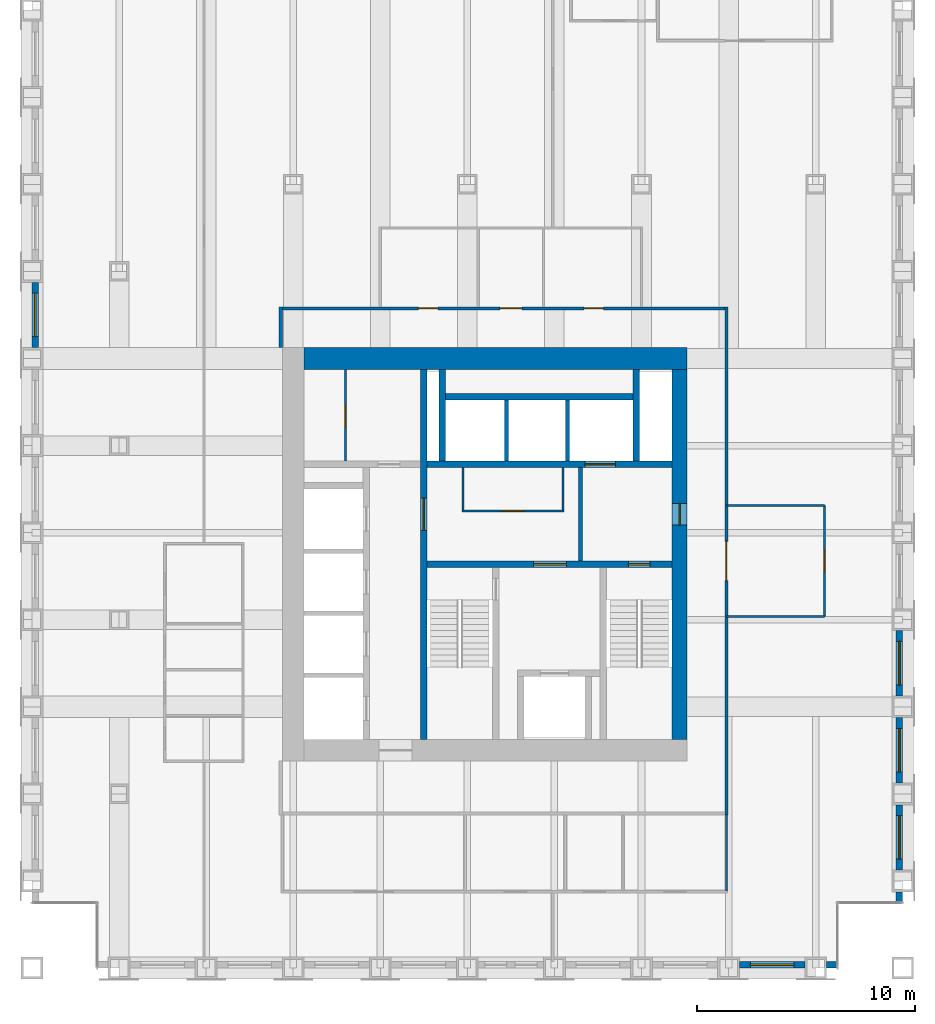
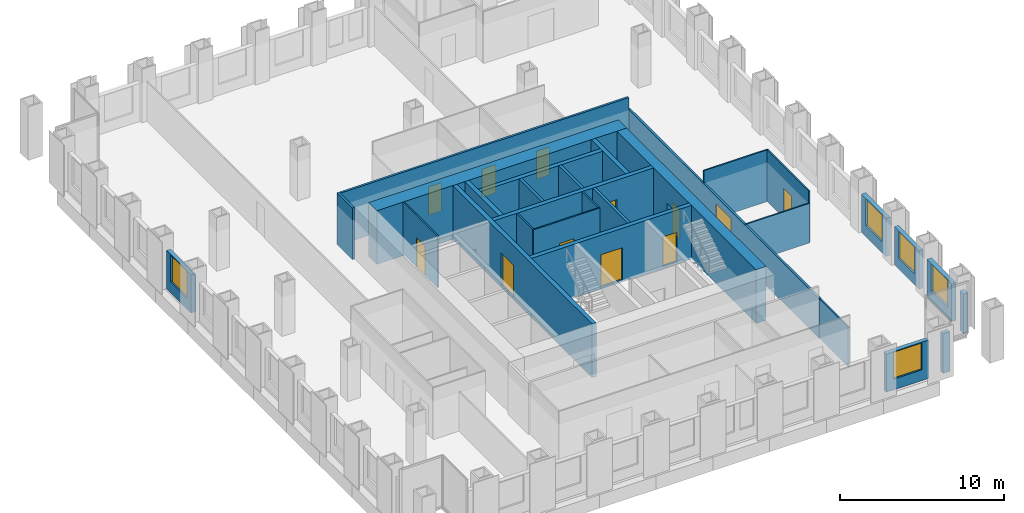
# One storey, part 10 of 13: 29 walls, 12 doors, 5 windows, 17 openings.
"""IFC4 building model written with IfcOpenShell, lengths in metres."""

from ifc_helpers import new_model, si_unit, direction, frame, frame_2d, origin, place, context, subcontext, project, spatial, rectangle, extrude, material, layer, layer_set, type_object, element, fill, save


model = new_model("IFC4")

# Units and contexts
model_context = context("Model", 3, precision=1e-05, world=origin(), true_north=direction((0.0, 1.0)))
body_context = subcontext(model_context, "Body", "Model", "MODEL_VIEW")
ifc_project = project(units=[si_unit("LENGTHUNIT", "METRE"), si_unit("AREAUNIT", "SQUARE_METRE"), si_unit("VOLUMEUNIT", "CUBIC_METRE"), si_unit("PLANEANGLEUNIT", "RADIAN"), si_unit("MASSUNIT", "GRAM", prefix="KILO")], contexts=[model_context])

# Site, building, storey
site_placement = place(None, origin())
site = spatial("IfcSite", under=ifc_project, at=site_placement, CompositionType="ELEMENT")
building_placement = place(site_placement, origin())
building = spatial("IfcBuilding", under=site, at=building_placement, Name="Rimbunsela Tower", CompositionType="ELEMENT")
storey_placement = place(building_placement, frame((0.0, 0.0, 187.800048828125)))
storey = spatial("IfcBuildingStorey", under=building, at=storey_placement, Name="L45", CompositionType="ELEMENT", Elevation=187.800048828125)

# Wall, opening, door
ifc_material_1 = material(Name="Concrete fc' 80 MPa", Category="concrete")
ifc_layer_1 = layer(ifc_material_1, 0.300048828125)
ifc_layer_set_1 = layer_set([ifc_layer_1], Name="Core internal wall 300")
wall_type_1 = type_object("IfcWallType", Name="Core internal wall 300", PredefinedType="SHEAR", material=ifc_layer_set_1)
wall_1_placement = place(storey_placement, frame((24.0, 18.5, -0.150146484375), z_axis=(0.0, 0.0, 1.0), x_axis=(0.0, 1.0, 0.0)))
wall_1 = element("IfcWall", 1, at=wall_1_placement, inside=storey, type_object=wall_type_1, Name="Core wall at stair A", PredefinedType="SHEAR", context=body_context, shape_type="SweptSolid", body=[
    extrude(rectangle(XDim=17.0, YDim=0.300048828125, at=frame_2d((8.5, 0.0))), origin(), (0.0, 0.0, 1.0), 4.0),
])
opening_1_placement = place(wall_1_placement, frame((9.60009765625, 0.0, 0.14990234375)))
opening_1 = element("IfcOpeningElement", 2, at=opening_1_placement, cuts=wall_1, Name="Opening D03", PredefinedType="OPENING", context=body_context, shape_type="SweptSolid", body=[
    extrude(rectangle(XDim=1.5, YDim=2.39990234375, at=frame_2d((0.75, 1.199951171875))), frame((0.0, 0.159912109375, 0.0), z_axis=(0.0, -1.0, 0.0), x_axis=(1.0, 0.0, 0.0)), (0.0, 0.0, 1.0), 0.320068359375),
])
ifc_material_2 = material(Name="Steel door, fire rated", Category="steel")
door_type_1 = type_object("IfcDoorType", Name="Core lobby door 1500", OperationType="DOUBLE_DOOR_DOUBLE_SWING", PredefinedType="DOOR", material=ifc_material_2)
door_1_placement = place(opening_1_placement, origin())
door_1 = element("IfcDoor", 3, at=door_1_placement, inside=storey, type_object=door_type_1, Name="West lobby door", OperationType="DOUBLE_DOOR_DOUBLE_SWING", OverallHeight=2.39990234375, OverallWidth=1.5, PredefinedType="DOOR", context=body_context, shape_type="SweptSolid", body=[
    extrude(rectangle(XDim=1.5, YDim=2.39990234375, at=frame_2d((0.75, 1.199951171875))), frame((0.0, 0.02490234375, 0.0), z_axis=(0.0, -1.0, 0.0), x_axis=(1.0, 0.0, 0.0)), (0.0, 0.0, 1.0), 0.050048828125),
])
fill(opening_1, door_1)

# Wall, openings, doors
wall_2_placement = place(storey_placement, frame((24.14990234375, 26.550048828125, -0.150146484375), z_axis=(0.0, 0.0, 1.0), x_axis=(1.0, 0.0, 0.0)))
wall_2 = element("IfcWall", 4, at=wall_2_placement, inside=storey, type_object=wall_type_1, Name="Core wall lobby south", PredefinedType="SHEAR", context=body_context, shape_type="SweptSolid", body=[
    extrude(rectangle(XDim=11.25, YDim=0.300048828125, at=frame_2d((5.625, 0.0))), origin(), (0.0, 0.0, 1.0), 4.0),
])
opening_2_placement = place(wall_2_placement, frame((9.25, 0.0, 0.14990234375)))
opening_2 = element("IfcOpeningElement", 5, at=opening_2_placement, cuts=wall_2, Name="Opening D01", PredefinedType="OPENING", context=body_context, shape_type="SweptSolid", body=[
    extrude(rectangle(XDim=1.0, YDim=2.199951171875, at=frame_2d((0.5, 1.10009765625))), frame((0.0, 0.159912109375, 0.0), z_axis=(0.0, -1.0, 0.0), x_axis=(1.0, 0.0, 0.0)), (0.0, 0.0, 1.0), 0.320068359375),
])
opening_3_placement = place(wall_2_placement, frame((4.89990234375, 0.0, 0.14990234375)))
opening_3 = element("IfcOpeningElement", 6, at=opening_3_placement, cuts=wall_2, Name="Opening D03", PredefinedType="OPENING", context=body_context, shape_type="SweptSolid", body=[
    extrude(rectangle(XDim=1.5, YDim=2.39990234375, at=frame_2d((0.75, 1.199951171875))), frame((0.0, 0.159912109375, 0.0), z_axis=(0.0, -1.0, 0.0), x_axis=(1.0, 0.0, 0.0)), (0.0, 0.0, 1.0), 0.320068359375),
])
door_2_placement = place(opening_3_placement, origin())
door_2 = element("IfcDoor", 7, at=door_2_placement, inside=storey, type_object=door_type_1, Name="Firefighting lobby door", OperationType="DOUBLE_DOOR_DOUBLE_SWING", OverallHeight=2.39990234375, OverallWidth=1.5, PredefinedType="DOOR", context=body_context, shape_type="SweptSolid", body=[
    extrude(rectangle(XDim=1.5, YDim=2.39990234375, at=frame_2d((0.75, 1.199951171875))), frame((0.0, 0.02490234375, 0.0), z_axis=(0.0, -1.0, 0.0), x_axis=(1.0, 0.0, 0.0)), (0.0, 0.0, 1.0), 0.050048828125),
])
fill(opening_3, door_2)
ifc_material_3 = material(Name="Steel door, fire rated", Category="steel")
door_type_2 = type_object("IfcDoorType", Name="Stair door 1000", OperationType="SINGLE_SWING_RIGHT", PredefinedType="DOOR", material=ifc_material_3)
door_3_placement = place(opening_2_placement, frame((1.0, 0.0, 0.0), z_axis=(0.0, 0.0, 1.0), x_axis=(-1.0, 0.0, 0.0)))
door_3 = element("IfcDoor", 8, at=door_3_placement, inside=storey, type_object=door_type_2, Name="Stair B door", OperationType="SINGLE_SWING_RIGHT", OverallHeight=2.199951171875, OverallWidth=1.0, PredefinedType="DOOR", context=body_context, shape_type="SweptSolid", body=[
    extrude(rectangle(XDim=1.0, YDim=2.199951171875, at=frame_2d((0.5, 1.10009765625))), frame((0.0, 0.02490234375, 0.0), z_axis=(0.0, -1.0, 0.0), x_axis=(1.0, 0.0, 0.0)), (0.0, 0.0, 1.0), 0.050048828125),
])
fill(opening_2, door_3)

# Wall, opening, door
wall_3_placement = place(storey_placement, frame((24.14990234375, 31.14990234375, -0.150146484375), z_axis=(0.0, 0.0, 1.0), x_axis=(1.0, 0.0, 0.0)))
wall_3 = element("IfcWall", 9, at=wall_3_placement, inside=storey, type_object=wall_type_1, Name="Lift shaft front north", PredefinedType="SHEAR", context=body_context, shape_type="SweptSolid", body=[
    extrude(rectangle(XDim=11.25, YDim=0.300048828125, at=frame_2d((5.625, 0.0))), origin(), (0.0, 0.0, 1.0), 4.0),
])
opening_4_placement = place(wall_3_placement, frame((7.25, 0.0, 0.14990234375)))
opening_4 = element("IfcOpeningElement", 10, at=opening_4_placement, cuts=wall_3, Name="Opening LD3", PredefinedType="OPENING", context=body_context, shape_type="SweptSolid", body=[
    extrude(rectangle(XDim=1.39990234375, YDim=2.39990234375, at=frame_2d((0.699951171875, 1.199951171875))), frame((0.0, 0.159912109375, 0.0), z_axis=(0.0, -1.0, 0.0), x_axis=(1.0, 0.0, 0.0)), (0.0, 0.0, 1.0), 0.320068359375),
])
ifc_material_4 = material(Name="Steel door, fire rated", Category="steel")
door_type_3 = type_object("IfcDoorType", Name="Lift landing door 1400", OperationType="DOUBLE_DOOR_SLIDING", PredefinedType="DOOR", material=ifc_material_4)
door_4_placement = place(opening_4_placement, origin())
door_4 = element("IfcDoor", 11, at=door_4_placement, inside=storey, type_object=door_type_3, Name="Lift landing door FL2", OperationType="DOUBLE_DOOR_SLIDING", OverallHeight=2.39990234375, OverallWidth=1.39990234375, PredefinedType="DOOR", context=body_context, shape_type="SweptSolid", body=[
    extrude(rectangle(XDim=1.39990234375, YDim=2.39990234375, at=frame_2d((0.699951171875, 1.199951171875))), frame((0.0, 0.02490234375, 0.0), z_axis=(0.0, -1.0, 0.0), x_axis=(1.0, 0.0, 0.0)), (0.0, 0.0, 1.0), 0.050048828125),
])
fill(opening_4, door_4)

# Walls
for number, where, z_axis, x_axis, name in (
    (12, (24.85009765625, 31.300048828125, -0.150146484375), (0.0, 0.0, 1.0), (0.0, 1.0, 0.0), "Riser wall"),
    (13, (33.75, 31.300048828125, -0.150146484375), (0.0, 0.0, 1.0), (0.0, 1.0, 0.0), "Riser wall"),
):
    element("IfcWall", number, at=place(storey_placement, frame(where, z_axis=z_axis, x_axis=x_axis)), inside=storey, type_object=wall_type_1, Name=name, PredefinedType="SHEAR", context=body_context, shape_type="SweptSolid", body=[
        extrude(rectangle(XDim=4.199951171875, YDim=0.300048828125, at=frame_2d((2.10009765625, 0.0))), origin(), (0.0, 0.0, 1.0), 4.0),
    ])
wall_4_placement = place(storey_placement, frame((25.0, 34.25, -0.150146484375), z_axis=(0.0, 0.0, 1.0), x_axis=(1.0, 0.0, 0.0)))
element("IfcWall", 14, at=wall_4_placement, inside=storey, type_object=wall_type_1, Name="Lift shaft rear north", PredefinedType="SHEAR", context=body_context, shape_type="SweptSolid", body=[
    extrude(rectangle(XDim=8.60009765625, YDim=0.300048828125, at=frame_2d((4.300048828125, 0.0))), origin(), (0.0, 0.0, 1.0), 4.0),
])

# Wall, opening, door
ifc_material_5 = material(Name="Concrete blockwork", Category="masonry")
ifc_layer_2 = layer(ifc_material_5, 0.10009765625)
ifc_layer_set_2 = layer_set([ifc_layer_2], Name="Core room partition 100")
wall_type_2 = type_object("IfcWallType", Name="Core room partition 100", PredefinedType="PARTITIONING", material=ifc_layer_set_2)
wall_5_placement = place(storey_placement, frame((20.39990234375, 31.300048828125, 0.0), z_axis=(0.0, 0.0, 1.0), x_axis=(0.0, 1.0, 0.0)))
wall_5 = element("IfcWall", 15, at=wall_5_placement, inside=storey, type_object=wall_type_2, Name="Housekeeping store wall", PredefinedType="PARTITIONING", context=body_context, shape_type="SweptSolid", body=[
    extrude(rectangle(XDim=4.199951171875, YDim=0.10009765625, at=frame_2d((2.10009765625, 0.0))), origin(), (0.0, 0.0, 1.0), 3.849853515625),
])
opening_5_placement = place(wall_5_placement, frame((1.550048828125, 0.0, 0.0)))
opening_5 = element("IfcOpeningElement", 16, at=opening_5_placement, cuts=wall_5, Name="Opening D19", PredefinedType="OPENING", context=body_context, shape_type="SweptSolid", body=[
    extrude(rectangle(XDim=1.0, YDim=2.199951171875, at=frame_2d((0.5, 1.10009765625))), frame((0.0, 0.06005859375, 0.0), z_axis=(0.0, -1.0, 0.0), x_axis=(1.0, 0.0, 0.0)), (0.0, 0.0, 1.0), 0.1201171875),
])
ifc_material_6 = material(Name="Steel door, fire rated", Category="steel")
door_type_4 = type_object("IfcDoorType", Name="Service door 1000 fire rated", OperationType="SINGLE_SWING_LEFT", PredefinedType="DOOR", material=ifc_material_6)
door_5_placement = place(opening_5_placement, origin())
door_5 = element("IfcDoor", 17, at=door_5_placement, inside=storey, type_object=door_type_4, Name="Housekeeping store door", OperationType="SINGLE_SWING_LEFT", OverallHeight=2.199951171875, OverallWidth=1.0, PredefinedType="DOOR", context=body_context, shape_type="SweptSolid", body=[
    extrude(rectangle(XDim=1.0, YDim=2.199951171875, at=frame_2d((0.5, 1.10009765625))), frame((0.0, 0.02490234375, 0.0), z_axis=(0.0, -1.0, 0.0), x_axis=(1.0, 0.0, 0.0)), (0.0, 0.0, 1.0), 0.050048828125),
])
fill(opening_5, door_5)

wall_6_placement = place(storey_placement, frame((25.75, 29.0, 0.0), z_axis=(0.0, 0.0, 1.0), x_axis=(1.0, 0.0, 0.0)))
wall_6 = element("IfcWall", 18, at=wall_6_placement, inside=storey, type_object=wall_type_2, Name="Lobby room wall", PredefinedType="PARTITIONING", context=body_context, shape_type="SweptSolid", body=[
    extrude(rectangle(XDim=4.699951171875, YDim=0.10009765625, at=frame_2d((2.35009765625, 0.0))), origin(), (0.0, 0.0, 1.0), 3.849853515625),
])
opening_6_placement = place(wall_6_placement, frame((1.85009765625, 0.0, 0.0)))
opening_6 = element("IfcOpeningElement", 19, at=opening_6_placement, cuts=wall_6, Name="Opening D19", PredefinedType="OPENING", context=body_context, shape_type="SweptSolid", body=[
    extrude(rectangle(XDim=1.0, YDim=2.199951171875, at=frame_2d((0.5, 1.10009765625))), frame((0.0, 0.06005859375, 0.0), z_axis=(0.0, -1.0, 0.0), x_axis=(1.0, 0.0, 0.0)), (0.0, 0.0, 1.0), 0.1201171875),
])
door_6_placement = place(opening_6_placement, origin())
door_6 = element("IfcDoor", 20, at=door_6_placement, inside=storey, type_object=door_type_4, Name="Tenant store door", OperationType="SINGLE_SWING_LEFT", OverallHeight=2.199951171875, OverallWidth=1.0, PredefinedType="DOOR", context=body_context, shape_type="SweptSolid", body=[
    extrude(rectangle(XDim=1.0, YDim=2.199951171875, at=frame_2d((0.5, 1.10009765625))), frame((0.0, 0.02490234375, 0.0), z_axis=(0.0, -1.0, 0.0), x_axis=(1.0, 0.0, 0.0)), (0.0, 0.0, 1.0), 0.050048828125),
])
fill(opening_6, door_6)

# Walls
for number, where, z_axis, x_axis, name in (
    (21, (25.800048828125, 29.050048828125, 0.0), (0.0, 0.0, 1.0), (0.0, 1.0, 0.0), "Lobby room wall"),
    (22, (30.39990234375, 29.050048828125, 0.0), (0.0, 0.0, 1.0), (0.0, 1.0, 0.0), "Lobby room wall"),
):
    element("IfcWall", number, at=place(storey_placement, frame(where, z_axis=z_axis, x_axis=x_axis)), inside=storey, type_object=wall_type_2, Name=name, PredefinedType="PARTITIONING", context=body_context, shape_type="SweptSolid", body=[
        extrude(rectangle(XDim=1.949951171875, YDim=0.10009765625, at=frame_2d((0.97509765625, 0.0))), origin(), (0.0, 0.0, 1.0), 3.849853515625),
    ])
ifc_material_7 = material(Name="Concrete fc' 80 MPa", Category="concrete")
ifc_layer_3 = layer(ifc_material_7, 1.0)
ifc_layer_set_3 = layer_set([ifc_layer_3], Name="Core wall 1000")
wall_type_3 = type_object("IfcWallType", Name="Core wall 1000", PredefinedType="SHEAR", material=ifc_layer_set_3)
wall_7_placement = place(storey_placement, frame((18.5, 36.0, -0.150146484375), z_axis=(0.0, 0.0, 1.0), x_axis=(1.0, 0.0, 0.0)))
element("IfcWall", 23, at=wall_7_placement, inside=storey, type_object=wall_type_3, Name="Core wall north", PredefinedType="SHEAR", context=body_context, shape_type="SweptSolid", body=[
    extrude(rectangle(XDim=17.60009765625, YDim=1.0, at=frame_2d((8.800048828125, 0.0))), origin(), (0.0, 0.0, 1.0), 4.0),
])

# Wall, opening, door
ifc_material_8 = material(Name="Concrete fc' 80 MPa", Category="concrete")
ifc_layer_4 = layer(ifc_material_8, 0.699951171875)
ifc_layer_set_4 = layer_set([ifc_layer_4], Name="Core wall 700 east")
wall_type_4 = type_object("IfcWallType", Name="Core wall 700 east", PredefinedType="SHEAR", material=ifc_layer_set_4)
wall_8_placement = place(storey_placement, frame((35.75, 18.5, -0.150146484375), z_axis=(0.0, 0.0, 1.0), x_axis=(0.0, 1.0, 0.0)))
wall_8 = element("IfcWall", 24, at=wall_8_placement, inside=storey, type_object=wall_type_4, Name="Core wall east", PredefinedType="SHEAR", context=body_context, shape_type="SweptSolid", body=[
    extrude(rectangle(XDim=17.0, YDim=0.699951171875, at=frame_2d((8.5, 0.0))), origin(), (0.0, 0.0, 1.0), 4.0),
])
opening_7_placement = place(wall_8_placement, frame((9.85009765625, 0.0, 0.14990234375)))
opening_7 = element("IfcOpeningElement", 25, at=opening_7_placement, cuts=wall_8, Name="Opening D01", PredefinedType="OPENING", context=body_context, shape_type="SweptSolid", body=[
    extrude(rectangle(XDim=1.0, YDim=2.199951171875, at=frame_2d((0.5, 1.10009765625))), frame((0.0, 0.35986328125, 0.0), z_axis=(0.0, -1.0, 0.0), x_axis=(1.0, 0.0, 0.0)), (0.0, 0.0, 1.0), 0.719970703125),
])
door_7_placement = place(opening_7_placement, origin())
door_7 = element("IfcDoor", 26, at=door_7_placement, inside=storey, type_object=door_type_2, Name="Firefighting lobby 2 door", OperationType="SINGLE_SWING_RIGHT", OverallHeight=2.199951171875, OverallWidth=1.0, PredefinedType="DOOR", context=body_context, shape_type="SweptSolid", body=[
    extrude(rectangle(XDim=1.0, YDim=2.199951171875, at=frame_2d((0.5, 1.10009765625))), frame((0.0, 0.02490234375, 0.0), z_axis=(0.0, -1.0, 0.0), x_axis=(1.0, 0.0, 0.0)), (0.0, 0.0, 1.0), 0.050048828125),
])
fill(opening_7, door_7)

# Walls
ifc_material_9 = material(Name="Concrete blockwork", Category="masonry")
ifc_layer_5 = layer(ifc_material_9, 0.199951171875)
ifc_layer_set_5 = layer_set([ifc_layer_5], Name="Lift shaft wall 200")
wall_type_5 = type_object("IfcWallType", Name="Lift shaft wall 200", PredefinedType="SOLIDWALL", material=ifc_layer_set_5)
for number, where, z_axis, x_axis, name in (
    (27, (27.800048828125, 31.300048828125, -0.150146484375), (0.0, 0.0, 1.0), (0.0, 1.0, 0.0), "Lift shaft separation"),
    (28, (30.60009765625, 31.300048828125, -0.150146484375), (0.0, 0.0, 1.0), (0.0, 1.0, 0.0), "Lift shaft separation"),
):
    element("IfcWall", number, at=place(storey_placement, frame(where, z_axis=z_axis, x_axis=x_axis)), inside=storey, type_object=wall_type_5, Name=name, PredefinedType="SOLIDWALL", context=body_context, shape_type="SweptSolid", body=[
        extrude(rectangle(XDim=2.800048828125, YDim=0.199951171875, at=frame_2d((1.39990234375, 0.0))), origin(), (0.0, 0.0, 1.0), 4.0),
    ])
wall_9_placement = place(storey_placement, frame((31.199951171875, 26.699951171875, 0.0), z_axis=(0.0, 0.0, 1.0), x_axis=(0.0, 1.0, 0.0)))
element("IfcWall", 29, at=wall_9_placement, inside=storey, type_object=wall_type_5, Name="Firefighting lobby 2 wall", PredefinedType="SOLIDWALL", context=body_context, shape_type="SweptSolid", body=[
    extrude(rectangle(XDim=4.300048828125, YDim=0.199951171875, at=frame_2d((2.14990234375, 0.0))), origin(), (0.0, 0.0, 1.0), 3.849853515625),
])
ifc_material_10 = material(Name="Gypsum board on steel studs", Category="steel")
ifc_layer_6 = layer(ifc_material_10, 0.10009765625)
ifc_layer_set_6 = layer_set([ifc_layer_6], Name="Office partition 100")
wall_type_6 = type_object("IfcWallType", Name="Office partition 100", PredefinedType="PARTITIONING", material=ifc_layer_set_6)
wall_10_placement = place(storey_placement, frame((37.89990234375, 11.550048828125, 0.0), z_axis=(0.0, 0.0, 1.0), x_axis=(0.0, 1.0, 0.0)))
element("IfcWall", 30, at=wall_10_placement, inside=storey, type_object=wall_type_6, Name="Office partition", PredefinedType="PARTITIONING", context=body_context, shape_type="SweptSolid", body=[
    extrude(rectangle(XDim=3.474853515625, YDim=0.10009765625, at=frame_2d((1.7373046875, 0.0))), origin(), (0.0, 0.0, 1.0), 2.949951171875),
])
wall_11_placement = place(storey_placement, frame((37.89990234375, 24.14990234375, 0.0), z_axis=(0.0, 0.0, 1.0), x_axis=(1.0, 0.0, 0.0)))
element("IfcWall", 31, at=wall_11_placement, inside=storey, type_object=wall_type_6, Name="Office partition", PredefinedType="PARTITIONING", context=body_context, shape_type="SweptSolid", body=[
    extrude(rectangle(XDim=4.5, YDim=0.10009765625, at=frame_2d((2.25, 0.0))), origin(), (0.0, 0.0, 1.0), 2.949951171875),
])

# Wall, opening, door
wall_12_placement = place(storey_placement, frame((42.39990234375, 24.14990234375, 0.0), z_axis=(0.0, 0.0, 1.0), x_axis=(0.0, 1.0, 0.0)))
wall_12 = element("IfcWall", 32, at=wall_12_placement, inside=storey, type_object=wall_type_6, Name="Office partition", PredefinedType="PARTITIONING", context=body_context, shape_type="SweptSolid", body=[
    extrude(rectangle(XDim=5.10009765625, YDim=0.10009765625, at=frame_2d((2.550048828125, 0.0))), origin(), (0.0, 0.0, 1.0), 3.849853515625),
])
opening_8_placement = place(wall_12_placement, frame((2.050048828125, 0.0, 0.0)))
opening_8 = element("IfcOpeningElement", 33, at=opening_8_placement, cuts=wall_12, Name="Opening D17", PredefinedType="OPENING", context=body_context, shape_type="SweptSolid", body=[
    extrude(rectangle(XDim=1.0, YDim=2.199951171875, at=frame_2d((0.5, 1.10009765625))), frame((0.0, 0.06005859375, 0.0), z_axis=(0.0, -1.0, 0.0), x_axis=(1.0, 0.0, 0.0)), (0.0, 0.0, 1.0), 0.1201171875),
])
ifc_material_11 = material(Name="Glazed aluminium door", Category="aluminium")
door_type_5 = type_object("IfcDoorType", Name="Meeting room door 1000 glazed", OperationType="SINGLE_SWING_RIGHT", PredefinedType="DOOR", material=ifc_material_11)
door_8_placement = place(opening_8_placement, origin())
door_8 = element("IfcDoor", 34, at=door_8_placement, inside=storey, type_object=door_type_5, Name="Reception door", OperationType="SINGLE_SWING_RIGHT", OverallHeight=2.199951171875, OverallWidth=1.0, PredefinedType="DOOR", context=body_context, shape_type="SweptSolid", body=[
    extrude(rectangle(XDim=1.0, YDim=2.199951171875, at=frame_2d((0.5, 1.10009765625))), frame((0.0, 0.02490234375, 0.0), z_axis=(0.0, -1.0, 0.0), x_axis=(1.0, 0.0, 0.0)), (0.0, 0.0, 1.0), 0.050048828125),
])
fill(opening_8, door_8)

# Wall
wall_13_placement = place(storey_placement, frame((42.39990234375, 29.25, 0.0), z_axis=(0.0, 0.0, 1.0), x_axis=(-1.0, 0.0, 0.0)))
element("IfcWall", 35, at=wall_13_placement, inside=storey, type_object=wall_type_6, Name="Office partition", PredefinedType="PARTITIONING", context=body_context, shape_type="SweptSolid", body=[
    extrude(rectangle(XDim=4.5, YDim=0.10009765625, at=frame_2d((2.25, 0.0))), origin(), (0.0, 0.0, 1.0), 3.849853515625),
])

# Wall, opening, window
ifc_material_12 = material(Name="Precast concrete fc' 35 MPa", Category="concrete")
ifc_layer_7 = layer(ifc_material_12, 0.300048828125)
ifc_layer_set_7 = layer_set([ifc_layer_7], Name="Precast concrete fc' 35 MPa")
wall_type_7 = type_object("IfcWallType", Name="Precast facade panel 300", PredefinedType="ELEMENTEDWALL", material=ifc_layer_set_7)
wall_14_placement = place(storey_placement, frame((38.5, 8.14990234375, 0.0), z_axis=(0.0, 0.0, 1.0), x_axis=(1.0, 0.0, 0.0)))
wall_14 = element("IfcWall", 36, at=wall_14_placement, inside=storey, type_object=wall_type_7, Name="Facade panel S L45", PredefinedType="ELEMENTEDWALL", context=body_context, shape_type="SweptSolid", body=[
    extrude(rectangle(XDim=3.0, YDim=0.300048828125, at=frame_2d((1.5, 0.0))), origin(), (0.0, 0.0, 1.0), 2.849853515625),
])
opening_9_placement = place(wall_14_placement, frame((0.5, 0.0, 0.800048828125)))
opening_9 = element("IfcOpeningElement", 37, at=opening_9_placement, cuts=wall_14, Name="Opening W1", PredefinedType="OPENING", context=body_context, shape_type="SweptSolid", body=[
    extrude(rectangle(XDim=2.0, YDim=2.0, at=frame_2d((1.0, 1.0))), frame((0.0, 0.159912109375, 0.0), z_axis=(0.0, -1.0, 0.0), x_axis=(1.0, 0.0, 0.0)), (0.0, 0.0, 1.0), 0.320068359375),
])
ifc_material_13 = material(Name="Clear glass in aluminium frame", Category="aluminium")
window_type = type_object("IfcWindowType", Name="Window W1 2000x2000", PartitioningType="DOUBLE_PANEL_VERTICAL", PredefinedType="WINDOW", material=ifc_material_13)
window_1_placement = place(opening_9_placement, origin())
window_1 = element("IfcWindow", 38, at=window_1_placement, inside=storey, type_object=window_type, Name="Window L45", OverallHeight=2.0, OverallWidth=2.0, PartitioningType="SINGLE_PANEL", PredefinedType="WINDOW", context=body_context, shape_type="SweptSolid", body=[
    extrude(rectangle(XDim=2.0, YDim=2.0, at=frame_2d((1.0, 1.0))), frame((0.0, 0.030029296875, 0.0), z_axis=(0.0, -1.0, 0.0), x_axis=(1.0, 0.0, 0.0)), (0.0, 0.0, 1.0), 0.06005859375),
])
fill(opening_9, window_1)

# Walls
for number, where, z_axis, x_axis, name in (
    (39, (42.5, 8.14990234375, 0.0), (0.0, 0.0, 1.0), (1.0, 0.0, 0.0), "Facade panel S L45"),
    (40, (45.85009765625, 11.030029296875, 0.0), (0.0, 0.0, 1.0), (0.0, 1.0, 0.0), "Facade panel E L45"),
):
    element("IfcWall", number, at=place(storey_placement, frame(where, z_axis=z_axis, x_axis=x_axis)), inside=storey, type_object=wall_type_7, Name=name, PredefinedType="ELEMENTEDWALL", context=body_context, shape_type="SweptSolid", body=[
        extrude(rectangle(XDim=0.469970703125, YDim=0.300048828125, at=frame_2d((0.23486328125, 0.0))), origin(), (0.0, 0.0, 1.0), 2.949951171875),
    ])

# Wall, opening, window
wall_15_placement = place(storey_placement, frame((45.85009765625, 12.5, 0.0), z_axis=(0.0, 0.0, 1.0), x_axis=(0.0, 1.0, 0.0)))
wall_15 = element("IfcWall", 41, at=wall_15_placement, inside=storey, type_object=wall_type_7, Name="Facade panel E L45", PredefinedType="ELEMENTEDWALL", context=body_context, shape_type="SweptSolid", body=[
    extrude(rectangle(XDim=3.0, YDim=0.300048828125, at=frame_2d((1.5, 0.0))), origin(), (0.0, 0.0, 1.0), 2.849853515625),
])
opening_10_placement = place(wall_15_placement, frame((0.5, 0.0, 0.800048828125)))
opening_10 = element("IfcOpeningElement", 42, at=opening_10_placement, cuts=wall_15, Name="Opening W1", PredefinedType="OPENING", context=body_context, shape_type="SweptSolid", body=[
    extrude(rectangle(XDim=2.0, YDim=2.0, at=frame_2d((1.0, 1.0))), frame((0.0, 0.159912109375, 0.0), z_axis=(0.0, -1.0, 0.0), x_axis=(1.0, 0.0, 0.0)), (0.0, 0.0, 1.0), 0.320068359375),
])
window_2_placement = place(opening_10_placement, origin())
window_2 = element("IfcWindow", 43, at=window_2_placement, inside=storey, type_object=window_type, Name="Window L45", OverallHeight=2.0, OverallWidth=2.0, PartitioningType="SINGLE_PANEL", PredefinedType="WINDOW", context=body_context, shape_type="SweptSolid", body=[
    extrude(rectangle(XDim=2.0, YDim=2.0, at=frame_2d((1.0, 1.0))), frame((0.0, 0.030029296875, 0.0), z_axis=(0.0, -1.0, 0.0), x_axis=(1.0, 0.0, 0.0)), (0.0, 0.0, 1.0), 0.06005859375),
])
fill(opening_10, window_2)

wall_16_placement = place(storey_placement, frame((45.85009765625, 16.5, 0.0), z_axis=(0.0, 0.0, 1.0), x_axis=(0.0, 1.0, 0.0)))
wall_16 = element("IfcWall", 44, at=wall_16_placement, inside=storey, type_object=wall_type_7, Name="Facade panel E L45", PredefinedType="ELEMENTEDWALL", context=body_context, shape_type="SweptSolid", body=[
    extrude(rectangle(XDim=3.0, YDim=0.300048828125, at=frame_2d((1.5, 0.0))), origin(), (0.0, 0.0, 1.0), 2.849853515625),
])
opening_11_placement = place(wall_16_placement, frame((0.5, 0.0, 0.800048828125)))
opening_11 = element("IfcOpeningElement", 45, at=opening_11_placement, cuts=wall_16, Name="Opening W1", PredefinedType="OPENING", context=body_context, shape_type="SweptSolid", body=[
    extrude(rectangle(XDim=2.0, YDim=2.0, at=frame_2d((1.0, 1.0))), frame((0.0, 0.159912109375, 0.0), z_axis=(0.0, -1.0, 0.0), x_axis=(1.0, 0.0, 0.0)), (0.0, 0.0, 1.0), 0.320068359375),
])
window_3_placement = place(opening_11_placement, origin())
window_3 = element("IfcWindow", 46, at=window_3_placement, inside=storey, type_object=window_type, Name="Window L45", OverallHeight=2.0, OverallWidth=2.0, PartitioningType="SINGLE_PANEL", PredefinedType="WINDOW", context=body_context, shape_type="SweptSolid", body=[
    extrude(rectangle(XDim=2.0, YDim=2.0, at=frame_2d((1.0, 1.0))), frame((0.0, 0.030029296875, 0.0), z_axis=(0.0, -1.0, 0.0), x_axis=(1.0, 0.0, 0.0)), (0.0, 0.0, 1.0), 0.06005859375),
])
fill(opening_11, window_3)

wall_17_placement = place(storey_placement, frame((45.85009765625, 20.5, 0.0), z_axis=(0.0, 0.0, 1.0), x_axis=(0.0, 1.0, 0.0)))
wall_17 = element("IfcWall", 47, at=wall_17_placement, inside=storey, type_object=wall_type_7, Name="Facade panel E L45", PredefinedType="ELEMENTEDWALL", context=body_context, shape_type="SweptSolid", body=[
    extrude(rectangle(XDim=3.0, YDim=0.300048828125, at=frame_2d((1.5, 0.0))), origin(), (0.0, 0.0, 1.0), 2.849853515625),
])
opening_12_placement = place(wall_17_placement, frame((0.5, 0.0, 0.800048828125)))
opening_12 = element("IfcOpeningElement", 48, at=opening_12_placement, cuts=wall_17, Name="Opening W1", PredefinedType="OPENING", context=body_context, shape_type="SweptSolid", body=[
    extrude(rectangle(XDim=2.0, YDim=2.0, at=frame_2d((1.0, 1.0))), frame((0.0, 0.159912109375, 0.0), z_axis=(0.0, -1.0, 0.0), x_axis=(1.0, 0.0, 0.0)), (0.0, 0.0, 1.0), 0.320068359375),
])
window_4_placement = place(opening_12_placement, origin())
window_4 = element("IfcWindow", 49, at=window_4_placement, inside=storey, type_object=window_type, Name="Window L45", OverallHeight=2.0, OverallWidth=2.0, PartitioningType="SINGLE_PANEL", PredefinedType="WINDOW", context=body_context, shape_type="SweptSolid", body=[
    extrude(rectangle(XDim=2.0, YDim=2.0, at=frame_2d((1.0, 1.0))), frame((0.0, 0.030029296875, 0.0), z_axis=(0.0, -1.0, 0.0), x_axis=(1.0, 0.0, 0.0)), (0.0, 0.0, 1.0), 0.06005859375),
])
fill(opening_12, window_4)

wall_18_placement = place(storey_placement, frame((6.14990234375, 39.5, 0.0), z_axis=(0.0, 0.0, 1.0), x_axis=(0.0, -1.0, 0.0)))
wall_18 = element("IfcWall", 50, at=wall_18_placement, inside=storey, type_object=wall_type_7, Name="Facade panel W L45", PredefinedType="ELEMENTEDWALL", context=body_context, shape_type="SweptSolid", body=[
    extrude(rectangle(XDim=3.0, YDim=0.300048828125, at=frame_2d((1.5, 0.0))), origin(), (0.0, 0.0, 1.0), 2.849853515625),
])
opening_13_placement = place(wall_18_placement, frame((0.5, 0.0, 0.800048828125)))
opening_13 = element("IfcOpeningElement", 51, at=opening_13_placement, cuts=wall_18, Name="Opening W1", PredefinedType="OPENING", context=body_context, shape_type="SweptSolid", body=[
    extrude(rectangle(XDim=2.0, YDim=2.0, at=frame_2d((1.0, 1.0))), frame((0.0, 0.159912109375, 0.0), z_axis=(0.0, -1.0, 0.0), x_axis=(1.0, 0.0, 0.0)), (0.0, 0.0, 1.0), 0.320068359375),
])
window_5_placement = place(opening_13_placement, origin())
window_5 = element("IfcWindow", 52, at=window_5_placement, inside=storey, type_object=window_type, Name="Window L45", OverallHeight=2.0, OverallWidth=2.0, PartitioningType="SINGLE_PANEL", PredefinedType="WINDOW", context=body_context, shape_type="SweptSolid", body=[
    extrude(rectangle(XDim=2.0, YDim=2.0, at=frame_2d((1.0, 1.0))), frame((0.0, 0.030029296875, 0.0), z_axis=(0.0, -1.0, 0.0), x_axis=(1.0, 0.0, 0.0)), (0.0, 0.0, 1.0), 0.06005859375),
])
fill(opening_13, window_5)

# Wall
ifc_material_14 = material(Name="Fire-rated gypsum board on steel studs, EI 60", Category="steel")
ifc_layer_8 = layer(ifc_material_14, 0.14990234375)
ifc_layer_set_8 = layer_set([ifc_layer_8], Name="Rated corridor wall 150")
wall_type_8 = type_object("IfcWallType", Name="Rated corridor wall 150", PredefinedType="PARTITIONING", material=ifc_layer_set_8)
wall_19_placement = place(storey_placement, frame((17.425048828125, 36.5, 0.0), z_axis=(0.0, 0.0, 1.0), x_axis=(0.0, 1.0, 0.0)))
element("IfcWall", 53, at=wall_19_placement, inside=storey, type_object=wall_type_8, Name="Corridor end wall north", PredefinedType="PARTITIONING", context=body_context, shape_type="SweptSolid", body=[
    extrude(rectangle(XDim=1.875, YDim=0.14990234375, at=frame_2d((0.9375, 0.0))), origin(), (0.0, 0.0, 1.0), 3.849853515625),
])

# Wall, opening, door
wall_20_placement = place(storey_placement, frame((37.89990234375, 15.02490234375, 0.0), z_axis=(0.0, 0.0, 1.0), x_axis=(0.0, 1.0, 0.0)))
wall_20 = element("IfcWall", 54, at=wall_20_placement, inside=storey, type_object=wall_type_8, Name="Corridor wall east", PredefinedType="PARTITIONING", context=body_context, shape_type="SweptSolid", body=[
    extrude(rectangle(XDim=23.35009765625, YDim=0.14990234375, at=frame_2d((11.675048828125, 0.0))), origin(), (0.0, 0.0, 1.0), 2.949951171875),
])
opening_14_placement = place(wall_20_placement, frame((10.77490234375, 0.0, 0.0)))
opening_14 = element("IfcOpeningElement", 55, at=opening_14_placement, cuts=wall_20, Name="Opening D09", PredefinedType="OPENING", context=body_context, shape_type="SweptSolid", body=[
    extrude(rectangle(XDim=1.800048828125, YDim=2.39990234375, at=frame_2d((0.89990234375, 1.199951171875))), frame((0.0, 0.0849609375, 0.0), z_axis=(0.0, -1.0, 0.0), x_axis=(1.0, 0.0, 0.0)), (0.0, 0.0, 1.0), 0.169921875),
])
ifc_material_15 = material(Name="Glazed aluminium door, fire rated", Category="aluminium")
door_type_6 = type_object("IfcDoorType", Name="Tenancy door 1800 glazed", OperationType="DOUBLE_DOOR_DOUBLE_SWING", PredefinedType="DOOR", material=ifc_material_15)
door_9_placement = place(opening_14_placement, origin())
door_9 = element("IfcDoor", 56, at=door_9_placement, inside=storey, type_object=door_type_6, Name="Tenancy door", OperationType="DOUBLE_DOOR_DOUBLE_SWING", OverallHeight=2.39990234375, OverallWidth=1.800048828125, PredefinedType="DOOR", context=body_context, shape_type="SweptSolid", body=[
    extrude(rectangle(XDim=1.800048828125, YDim=2.39990234375, at=frame_2d((0.89990234375, 1.199951171875))), frame((0.0, 0.02490234375, 0.0), z_axis=(0.0, -1.0, 0.0), x_axis=(1.0, 0.0, 0.0)), (0.0, 0.0, 1.0), 0.050048828125),
])
fill(opening_14, door_9)

# Wall, openings, doors
wall_21_placement = place(storey_placement, frame((17.5, 38.300048828125, 0.0), z_axis=(0.0, 0.0, 1.0), x_axis=(1.0, 0.0, 0.0)))
wall_21 = element("IfcWall", 57, at=wall_21_placement, inside=storey, type_object=wall_type_8, Name="Corridor wall north", PredefinedType="PARTITIONING", context=body_context, shape_type="SweptSolid", body=[
    extrude(rectangle(XDim=20.324951171875, YDim=0.14990234375, at=frame_2d((10.16259765625, 0.0))), origin(), (0.0, 0.0, 1.0), 3.849853515625),
])
opening_15_placement = place(wall_21_placement, frame((6.25, 0.0, 0.0)))
opening_15 = element("IfcOpeningElement", 58, at=opening_15_placement, cuts=wall_21, Name="Opening D04", PredefinedType="OPENING", context=body_context, shape_type="SweptSolid", body=[
    extrude(rectangle(XDim=0.89990234375, YDim=2.10009765625, at=frame_2d((0.449951171875, 1.050048828125))), frame((0.0, 0.0849609375, 0.0), z_axis=(0.0, -1.0, 0.0), x_axis=(1.0, 0.0, 0.0)), (0.0, 0.0, 1.0), 0.169921875),
])
opening_16_placement = place(wall_21_placement, frame((10.0, 0.0, 0.0)))
opening_16 = element("IfcOpeningElement", 59, at=opening_16_placement, cuts=wall_21, Name="Opening D05", PredefinedType="OPENING", context=body_context, shape_type="SweptSolid", body=[
    extrude(rectangle(XDim=1.0, YDim=2.10009765625, at=frame_2d((0.5, 1.050048828125))), frame((0.0, 0.0849609375, 0.0), z_axis=(0.0, -1.0, 0.0), x_axis=(1.0, 0.0, 0.0)), (0.0, 0.0, 1.0), 0.169921875),
])
opening_17_placement = place(wall_21_placement, frame((13.85009765625, 0.0, 0.0)))
opening_17 = element("IfcOpeningElement", 60, at=opening_17_placement, cuts=wall_21, Name="Opening D04", PredefinedType="OPENING", context=body_context, shape_type="SweptSolid", body=[
    extrude(rectangle(XDim=0.89990234375, YDim=2.10009765625, at=frame_2d((0.449951171875, 1.050048828125))), frame((0.0, 0.0849609375, 0.0), z_axis=(0.0, -1.0, 0.0), x_axis=(1.0, 0.0, 0.0)), (0.0, 0.0, 1.0), 0.169921875),
])
ifc_material_16 = material(Name="Timber door", Category="wood")
door_type_7 = type_object("IfcDoorType", Name="Accessible WC door 1000", OperationType="SLIDING_TO_LEFT", PredefinedType="DOOR", material=ifc_material_16)
door_10_placement = place(opening_16_placement, origin())
door_10 = element("IfcDoor", 61, at=door_10_placement, inside=storey, type_object=door_type_7, Name="Accessible WC door", OperationType="SLIDING_TO_LEFT", OverallHeight=2.10009765625, OverallWidth=1.0, PredefinedType="DOOR", context=body_context, shape_type="SweptSolid", body=[
    extrude(rectangle(XDim=1.0, YDim=2.10009765625, at=frame_2d((0.5, 1.050048828125))), frame((0.0, 0.02490234375, 0.0), z_axis=(0.0, -1.0, 0.0), x_axis=(1.0, 0.0, 0.0)), (0.0, 0.0, 1.0), 0.050048828125),
])
fill(opening_16, door_10)
ifc_material_17 = material(Name="Timber door", Category="wood")
door_type_8 = type_object("IfcDoorType", Name="Toilet door 900", OperationType="SINGLE_SWING_LEFT", PredefinedType="DOOR", material=ifc_material_17)
door_11_placement = place(opening_15_placement, origin())
door_11 = element("IfcDoor", 62, at=door_11_placement, inside=storey, type_object=door_type_8, Name="Female WC door", OperationType="SINGLE_SWING_LEFT", OverallHeight=2.10009765625, OverallWidth=0.89990234375, PredefinedType="DOOR", context=body_context, shape_type="SweptSolid", body=[
    extrude(rectangle(XDim=0.89990234375, YDim=2.10009765625, at=frame_2d((0.449951171875, 1.050048828125))), frame((0.0, 0.02490234375, 0.0), z_axis=(0.0, -1.0, 0.0), x_axis=(1.0, 0.0, 0.0)), (0.0, 0.0, 1.0), 0.050048828125),
])
fill(opening_15, door_11)
door_12_placement = place(opening_17_placement, origin())
door_12 = element("IfcDoor", 63, at=door_12_placement, inside=storey, type_object=door_type_8, Name="Male WC door", OperationType="SINGLE_SWING_LEFT", OverallHeight=2.10009765625, OverallWidth=0.89990234375, PredefinedType="DOOR", context=body_context, shape_type="SweptSolid", body=[
    extrude(rectangle(XDim=0.89990234375, YDim=2.10009765625, at=frame_2d((0.449951171875, 1.050048828125))), frame((0.0, 0.02490234375, 0.0), z_axis=(0.0, -1.0, 0.0), x_axis=(1.0, 0.0, 0.0)), (0.0, 0.0, 1.0), 0.050048828125),
])
fill(opening_17, door_12)

save(model, "model.ifc")
